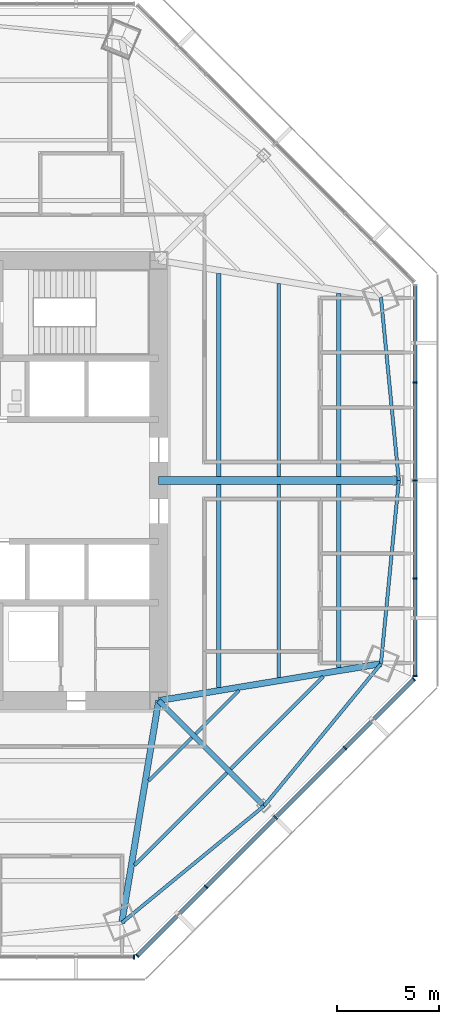
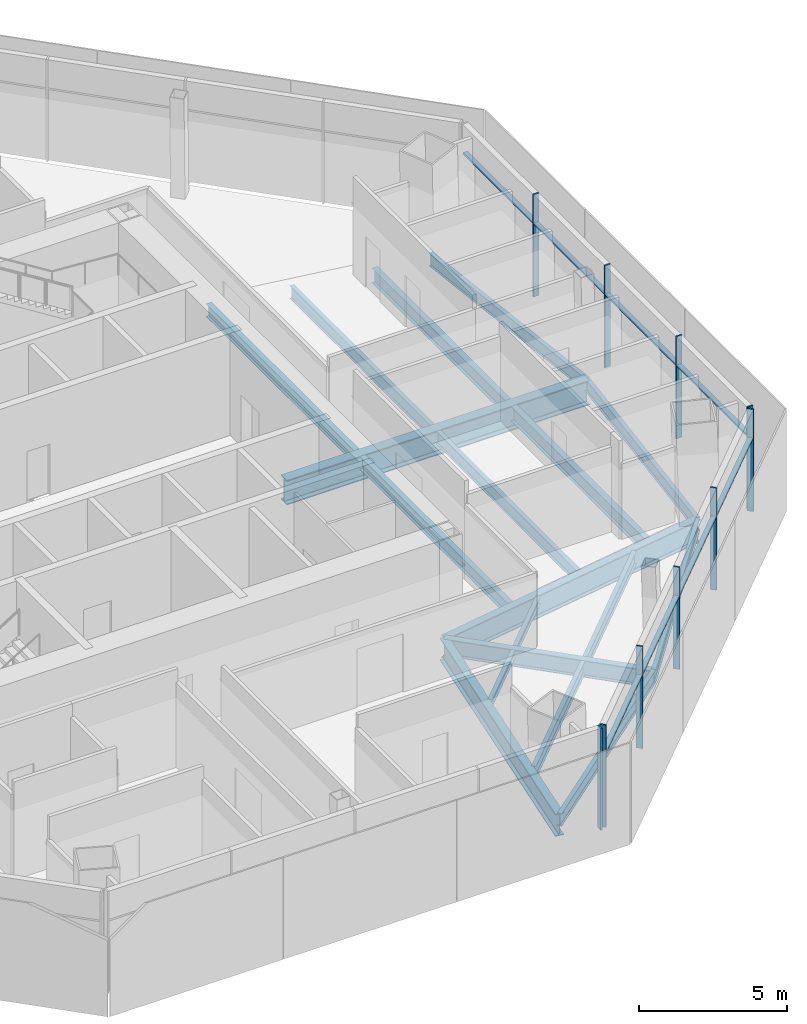
# One storey, part 4 of 15: 18 beams, 18 members, 3 elements without a shape of their own.
"""IFC4 building model written with IfcOpenShell, lengths in metres."""

import ifcopenshell
import ifcopenshell.guid

model = None  # the IFC model being written
_history = None  # IfcOwnerHistory: only IFC2X3 demands one
_inside = {}  # id of a spatial element -> (the spatial element, [elements in it])
_under = {}  # id of a project, library or spatial element -> (it, [spatial elements below it])
_declared = {}  # id of a project -> (the project, [libraries it declares])
_typed = {}  # id of a type object -> (the type object, [elements of that type])
_made_of = {}  # id of a material, layer set ... -> (it, [elements and type objects made of it])


def new_model(schema):
    """Start an empty IFC model of exactly this schema.

    Asked for "IFC4X3", IfcOpenShell would pick the latest addendum, in which some entities
    have other attributes; the version numbers below select the first issue.
    IFC2X3 requires an IfcOwnerHistory on every rooted entity: one is made here for all.
    """
    global model, _history
    if schema == "IFC4X3":
        model = ifcopenshell.file(schema_version=(4, 3, 0, 0))
    else:
        model = ifcopenshell.file(schema=schema)
    _inside.clear()
    _under.clear()
    _declared.clear()
    _typed.clear()
    _made_of.clear()
    _history = None
    if model.schema == "IFC2X3":
        org = make("IfcOrganization", Name="unknown")
        user = make(
            "IfcPersonAndOrganization",
            ThePerson=make("IfcPerson", FamilyName="unknown"),
            TheOrganization=org,
        )
        app = make(
            "IfcApplication",
            ApplicationDeveloper=org,
            Version="unknown",
            ApplicationFullName="unknown",
            ApplicationIdentifier="unknown",
        )
        _history = make(
            "IfcOwnerHistory",
            OwningUser=user,
            OwningApplication=app,
            ChangeAction="ADDED",
            CreationDate=0,
        )
    return model


def make(cls, **values):
    """One entity of the class cls with the attributes given. An attribute that is None is left unset."""
    return model.create_entity(
        cls, **{name: value for name, value in values.items() if value is not None}
    )


def rooted(cls, **values):
    """An entity with a GlobalId (a new one), such as an element, a storey or a relation."""
    return make(cls, GlobalId=ifcopenshell.guid.new(), OwnerHistory=_history, **values)


def si_unit(unit_type, name, prefix=None):
    """IfcSIUnit, for example si_unit("LENGTHUNIT", "METRE", prefix="MILLI")."""
    return make("IfcSIUnit", UnitType=unit_type, Prefix=prefix, Name=name)


def assignment(units):
    """IfcUnitAssignment: the units of a project."""
    return None if units is None else make("IfcUnitAssignment", Units=units)


def point(xyz):
    """IfcCartesianPoint."""
    return None if xyz is None else make("IfcCartesianPoint", Coordinates=xyz)


def direction(xyz):
    """IfcDirection."""
    return None if xyz is None else make("IfcDirection", DirectionRatios=xyz)


def frame(location, z_axis=None, x_axis=None):
    """IfcAxis2Placement3D, a coordinate frame: its origin and axes. An axis left out is left unset."""
    return make(
        "IfcAxis2Placement3D",
        Location=point(location),
        Axis=direction(z_axis),
        RefDirection=direction(x_axis),
    )


def frame_2d(location, x_axis=None):
    """IfcAxis2Placement2D, a coordinate frame in the plane: its origin and x axis."""
    return make(
        "IfcAxis2Placement2D", Location=point(location), RefDirection=direction(x_axis)
    )


def origin():
    """The frame at (0, 0, 0) with its axes left unset."""
    return frame((0.0, 0.0, 0.0))


def origin_2d():
    """The frame at (0, 0) in the plane with its x axis left unset."""
    return frame_2d((0.0, 0.0))


def place(relative_to, where):
    """IfcLocalPlacement: puts the frame where relative to a parent placement (None: the world)."""
    return make(
        "IfcLocalPlacement", PlacementRelTo=relative_to, RelativePlacement=where
    )


def context(
    kind, dimensions, precision=None, world=None, true_north=None, identifier=None
):
    """IfcGeometricRepresentationContext, for example the 3D "Model" context."""
    return make(
        "IfcGeometricRepresentationContext",
        ContextIdentifier=identifier,
        ContextType=kind,
        CoordinateSpaceDimension=dimensions,
        Precision=precision,
        WorldCoordinateSystem=world,
        TrueNorth=true_north,
    )


def subcontext(parent, identifier, kind, view, scale=None):
    """IfcGeometricRepresentationSubContext, for example "Body" below "Model"."""
    return make(
        "IfcGeometricRepresentationSubContext",
        ContextIdentifier=identifier,
        ContextType=kind,
        ParentContext=parent,
        TargetScale=scale,
        TargetView=view,
    )


def project(units=None, contexts=None):
    """IfcProject with its units and contexts."""
    return rooted(
        "IfcProject",
        Name="project",
        RepresentationContexts=contexts,
        UnitsInContext=assignment(units),
    )


def spatial(cls, under=None, at=None, **own):
    """A site, building, storey or space (cls), placed at a placement, below another one or the project."""
    s = rooted(cls, ObjectPlacement=at, **own)
    if under is not None:
        _under.setdefault(under.id(), (under, []))[1].append(s)
    return s


def profile(cls, at=None, kind="AREA", **sizes):
    """A parametric profile (cls). Its sizes go by their IFC names, for example OverallWidth=200.0."""
    return make(cls, ProfileType=kind, Position=at, **sizes)


def rectangle(**sizes):
    """IfcRectangleProfileDef."""
    return profile("IfcRectangleProfileDef", **sizes)


def i_section(**sizes):
    """IfcIShapeProfileDef."""
    return profile("IfcIShapeProfileDef", **sizes)


def extrude(swept, where, along, depth):
    """IfcExtrudedAreaSolid: the profile swept, set in the frame where, extruded along a direction by depth."""
    return make(
        "IfcExtrudedAreaSolid",
        SweptArea=swept,
        Position=where,
        ExtrudedDirection=direction(along),
        Depth=depth,
    )


def shape(context_of_items, identifier, shape_type, items):
    """IfcShapeRepresentation: the items that make up one representation, for example the "Body"."""
    return make(
        "IfcShapeRepresentation",
        ContextOfItems=context_of_items,
        RepresentationIdentifier=identifier,
        RepresentationType=shape_type,
        Items=items,
    )


def source(mapping_origin, context_of_items, identifier, shape_type, items):
    """IfcRepresentationMap: a shape defined once, which mapped items show again and again."""
    return make(
        "IfcRepresentationMap",
        MappingOrigin=mapping_origin,
        MappedRepresentation=shape(context_of_items, identifier, shape_type, items),
    )


def transform(
    local_origin,
    x_axis=None,
    y_axis=None,
    z_axis=None,
    scale=None,
    scale2=None,
    scale3=None,
    uniform=True,
):
    """IfcCartesianTransformationOperator3D, or its non-uniform kind. x_axis, y_axis, z_axis: its Axis1, 2, 3."""
    if uniform:
        return make(
            "IfcCartesianTransformationOperator3D",
            Axis1=direction(x_axis),
            Axis2=direction(y_axis),
            LocalOrigin=point(local_origin),
            Scale=scale,
            Axis3=direction(z_axis),
        )
    return make(
        "IfcCartesianTransformationOperator3DnonUniform",
        Axis1=direction(x_axis),
        Axis2=direction(y_axis),
        LocalOrigin=point(local_origin),
        Scale=scale,
        Axis3=direction(z_axis),
        Scale2=scale2,
        Scale3=scale3,
    )


def mapped(mapping_source, mapping_target):
    """IfcMappedItem: shows the shape of a source again, moved by a transform."""
    return make(
        "IfcMappedItem", MappingSource=mapping_source, MappingTarget=mapping_target
    )


def material(Name=None, Category=None):
    """IfcMaterial."""
    return make("IfcMaterial", Name=Name, Category=Category)


def material_profile(
    of_material, cross_section, Name=None, Category=None, Priority=None
):
    """IfcMaterialProfile: a cross section and its material."""
    return make(
        "IfcMaterialProfile",
        Name=Name,
        Material=of_material,
        Profile=cross_section,
        Priority=Priority,
        Category=Category,
    )


def profile_set(profiles, Name=None, composite=None):
    """IfcMaterialProfileSet."""
    return make(
        "IfcMaterialProfileSet",
        Name=Name,
        MaterialProfiles=profiles,
        CompositeProfile=composite,
    )


def made_of(thing, what):
    """Note that an element or type object is made of a material, layer set ...; save() writes the relation."""
    if what is not None:
        _made_of.setdefault(what.id(), (what, []))[1].append(thing)
    return thing


def type_object(cls, material=None, **own):
    """A type object (cls), such as IfcWallType, which elements share."""
    return made_of(rooted(cls, **own), material)


def type_shapes(of_type, sources):
    """Give a type object the sources (RepresentationMaps) that its elements show as mapped items."""
    of_type.RepresentationMaps = sources


def element(
    cls,
    number,
    at=None,
    inside=None,
    cuts=None,
    type_object=None,
    material=None,
    context=None,
    identifier="Body",
    shape_type=None,
    held_by="IfcProductDefinitionShape",
    body=None,
    shapes=None,
    **own,
):
    """One element of the class cls, such as IfcWall. Its Tag is "e" and its number.

    at: its placement. inside: the storey or other place that contains it. cuts: it is an
    opening in that element (IfcRelVoidsElement). A single representation is given by context,
    identifier, shape_type and body (its items); several are given by shapes. held_by: the class
    of the entity that holds the representations. save() writes the other relations.
    """
    e = rooted(cls, Tag="e%d" % number, ObjectPlacement=at, **own)
    if body is not None:
        shapes = [shape(context, identifier, shape_type, body)]
    if shapes is not None:
        e.Representation = make(held_by, Representations=shapes)
    if inside is not None:
        _inside.setdefault(inside.id(), (inside, []))[1].append(e)
    if cuts is not None:
        rooted(
            "IfcRelVoidsElement", RelatingBuildingElement=cuts, RelatedOpeningElement=e
        )
    if type_object is not None:
        _typed.setdefault(type_object.id(), (type_object, []))[1].append(e)
    return made_of(e, material)


def aggregate(whole, parts):
    """IfcRelAggregates: a whole, such as a stair, and the parts it consists of."""
    return rooted("IfcRelAggregates", RelatingObject=whole, RelatedObjects=parts)


def save(model, path):
    """Write the relations noted so far, then the file.

    IfcRelAggregates (storeys below a building ...), IfcRelContainedInSpatialStructure (elements
    in a storey), IfcRelDefinesByType, IfcRelAssociatesMaterial and IfcRelDeclares: one each for
    every whole, place, type object, material and project.
    """
    for whole, parts in _under.values():
        aggregate(whole, parts)
    for where, things in _inside.values():
        rooted(
            "IfcRelContainedInSpatialStructure",
            RelatedElements=things,
            RelatingStructure=where,
        )
    for kind, things in _typed.values():
        rooted("IfcRelDefinesByType", RelatedObjects=things, RelatingType=kind)
    for what, things in _made_of.values():
        rooted("IfcRelAssociatesMaterial", RelatedObjects=things, RelatingMaterial=what)
    for by, libraries in _declared.values():
        rooted("IfcRelDeclares", RelatingContext=by, RelatedDefinitions=libraries)
    model.write(path)


model = new_model("IFC4")

# Units and contexts
model_context = context("Model", 3, precision=1e-05, world=origin(), true_north=direction((0.0, 1.0)))
body_context = subcontext(model_context, "Body", "Model", "MODEL_VIEW")
ifc_project = project(units=[si_unit("LENGTHUNIT", "METRE"), si_unit("AREAUNIT", "SQUARE_METRE"), si_unit("VOLUMEUNIT", "CUBIC_METRE"), si_unit("PLANEANGLEUNIT", "RADIAN"), si_unit("MASSUNIT", "GRAM", prefix="KILO")], contexts=[model_context])

# Site, building, storey
site_placement = place(None, origin())
site = spatial("IfcSite", under=ifc_project, at=site_placement, CompositionType="ELEMENT")
building_placement = place(site_placement, origin())
building = spatial("IfcBuilding", under=site, at=building_placement, Name="Mashrafa Tower", CompositionType="ELEMENT")
storey_placement = place(building_placement, frame((0.0, 0.0, 163.800048828125)))
storey = spatial("IfcBuildingStorey", under=building, at=storey_placement, Name="L37", CompositionType="ELEMENT", Elevation=163.800048828125)

# Beams
ifc_material_1 = material(Name="Steel ASTM A992", Category="steel")
ifc_material_profile_1 = material_profile(ifc_material_1, i_section(OverallWidth=0.164794921875, OverallDepth=0.309814453125, WebThickness=0.005859375, FlangeThickness=0.009765625, FilletRadius=0.007568359375, at=origin_2d()), Name="W12X26")
ifc_profile_set_1 = profile_set([ifc_material_profile_1], Name="Steel ASTM A992")
beam_type_1 = type_object("IfcBeamType", Name="Beam W12X26", PredefinedType="BEAM", material=ifc_profile_set_1)
for number, where, z_axis, x_axis, name in (
    (1, (12.432861328125, -12.6142578125, -0.320068359375), (-0.707147281016, -0.707066279037, 0.0), (0.707066279037, -0.707147281016, 0.0), "Floor beam L37 029"),
    (2, (14.745361328125, -10.301513671875, -0.320068359375), (-0.707066279037, -0.707147281016, 0.0), (0.707147281016, -0.707066279037, 0.0), "Floor beam L37 035"),
):
    element("IfcBeam", number, at=place(storey_placement, frame(where, z_axis=z_axis, x_axis=x_axis)), inside=storey, type_object=beam_type_1, Name=name, PredefinedType="BEAM", context=body_context, shape_type="SweptSolid", body=[
        extrude(i_section(OverallWidth=0.164794921875, OverallDepth=0.309814453125, WebThickness=0.005859375, FlangeThickness=0.009765625, FilletRadius=0.007568359375, at=origin_2d()), origin(), (0.0, 0.0, 1.0), 3.013916015625),
    ])
ifc_material_2 = material(Name="Steel ASTM A992", Category="steel")
ifc_material_profile_2 = material_profile(ifc_material_2, i_section(OverallWidth=0.1650390625, OverallDepth=0.52587890625, WebThickness=0.0087890625, FlangeThickness=0.011474609375, FilletRadius=0.0126953125, at=origin_2d()), Name="W21X44")
ifc_profile_set_2 = profile_set([ifc_material_profile_2], Name="Steel ASTM A992")
beam_type_2 = type_object("IfcBeamType", Name="Beam W21X44", PredefinedType="BEAM", material=ifc_profile_set_2)
for number, where, z_axis, x_axis, name in (
    (3, (14.15625, -14.337646484375, -0.427978515625), (-0.707106781187, -0.707106781187, 0.0), (0.707106781187, -0.707106781187, 0.0), "Floor beam L37 033"),
    (4, (18.87744140625, -9.616455078125, -0.427978515625), (-0.707106781187, -0.707106781187, 0.0), (0.707106781187, -0.707106781187, 0.0), "Floor beam L37 038"),
):
    element("IfcBeam", number, at=place(storey_placement, frame(where, z_axis=z_axis, x_axis=x_axis)), inside=storey, type_object=beam_type_2, Name=name, PredefinedType="BEAM", context=body_context, shape_type="SweptSolid", body=[
        extrude(i_section(OverallWidth=0.1650390625, OverallDepth=0.52587890625, WebThickness=0.0087890625, FlangeThickness=0.011474609375, FilletRadius=0.0126953125, at=origin_2d()), origin(), (0.0, 0.0, 1.0), 6.420166015625),
    ])
for number, where, z_axis, x_axis, name in (
    (5, (8.991455078125, -21.70751953125, -0.427978515625), (0.772492355592, 0.63502406297, 0.0), (-0.63502406297, 0.772492355592, 0.0), "Spandrel beam L37 066"),
    (6, (15.970458984375, -15.970458984375, -0.427978515625), (0.63502406297, 0.772492355592, 0.0), (-0.772492355592, 0.63502406297, 0.0), "Spandrel beam L37 068"),
):
    element("IfcBeam", number, at=place(storey_placement, frame(where, z_axis=z_axis, x_axis=x_axis)), inside=storey, type_object=beam_type_2, Name=name, PredefinedType="BEAM", context=body_context, shape_type="SweptSolid", body=[
        extrude(i_section(OverallWidth=0.1650390625, OverallDepth=0.52587890625, WebThickness=0.0087890625, FlangeThickness=0.011474609375, FilletRadius=0.0126953125, at=origin_2d()), origin(), (0.0, 0.0, 1.0), 9.034423828125),
    ])
for number, where, z_axis, x_axis, name in (
    (7, (21.70751953125, -8.991455078125, -0.427978515625), (0.097205081582, 0.995264372976, 0.0), (-0.995264372976, 0.097205081582, 0.0), "Spandrel beam L37 070"),
    (8, (22.585693359375, 0.0, -0.427978515625), (-0.097205081582, 0.995264372976, 0.0), (-0.995264372976, -0.097205081582, 0.0), "Spandrel beam L37 072"),
):
    element("IfcBeam", number, at=place(storey_placement, frame(where, z_axis=z_axis, x_axis=x_axis)), inside=storey, type_object=beam_type_2, Name=name, PredefinedType="BEAM", context=body_context, shape_type="SweptSolid", body=[
        extrude(i_section(OverallWidth=0.1650390625, OverallDepth=0.52587890625, WebThickness=0.0087890625, FlangeThickness=0.011474609375, FilletRadius=0.0126953125, at=origin_2d()), origin(), (0.0, 0.0, 1.0), 9.0341796875),
    ])
ifc_material_3 = material(Name="Steel ASTM A992", Category="steel")
ifc_material_profile_3 = material_profile(ifc_material_3, i_section(OverallWidth=0.165771484375, OverallDepth=0.5283203125, WebThickness=0.009765625, FlangeThickness=0.013671875, FilletRadius=0.012939453125, at=origin_2d()), Name="W21X50")
ifc_profile_set_3 = profile_set([ifc_material_profile_3], Name="Steel ASTM A992")
beam_type_3 = type_object("IfcBeamType", Name="Beam W21X50", PredefinedType="BEAM", material=ifc_profile_set_3)
for number, where, z_axis, x_axis, name in (
    (9, (16.69287109375, -0.20068359375, -0.42919921875), (0.0, -1.0, 0.0), (1.0, 0.0, 0.0), "Floor beam L37 036"),
    (10, (16.69287109375, 9.6669921875, -0.42919921875), (0.0, -1.0, 0.0), (1.0, 0.0, 0.0), "Floor beam L37 037"),
):
    element("IfcBeam", number, at=place(storey_placement, frame(where, z_axis=z_axis, x_axis=x_axis)), inside=storey, type_object=beam_type_3, Name=name, PredefinedType="BEAM", context=body_context, shape_type="SweptSolid", body=[
        extrude(i_section(OverallWidth=0.165771484375, OverallDepth=0.5283203125, WebThickness=0.009765625, FlangeThickness=0.013671875, FilletRadius=0.012939453125, at=origin_2d()), origin(), (0.0, 0.0, 1.0), 9.46630859375),
    ])
ifc_material_4 = material(Name="Steel ASTM A992", Category="steel")
ifc_material_profile_4 = material_profile(ifc_material_4, i_section(OverallWidth=0.209228515625, OverallDepth=0.533447265625, WebThickness=0.01025390625, FlangeThickness=0.015625, FilletRadius=0.012939453125, at=origin_2d()), Name="W21X62")
ifc_profile_set_4 = profile_set([ifc_material_profile_4], Name="Steel ASTM A992")
beam_type_4 = type_object("IfcBeamType", Name="Beam W21X62", PredefinedType="BEAM", material=ifc_profile_set_4)
for number, where, z_axis, x_axis, name in (
    (11, (13.746337890625, -0.20068359375, -0.431640625), (0.0, -1.0, 0.0), (1.0, 0.0, 0.0), "Floor beam L37 031"),
    (12, (13.746337890625, 10.15576171875, -0.431640625), (0.0, -1.0, 0.0), (1.0, 0.0, 0.0), "Floor beam L37 032"),
):
    element("IfcBeam", number, at=place(storey_placement, frame(where, z_axis=z_axis, x_axis=x_axis)), inside=storey, type_object=beam_type_4, Name=name, PredefinedType="BEAM", context=body_context, shape_type="SweptSolid", body=[
        extrude(i_section(OverallWidth=0.209228515625, OverallDepth=0.533447265625, WebThickness=0.01025390625, FlangeThickness=0.015625, FilletRadius=0.012939453125, at=origin_2d()), origin(), (0.0, 0.0, 1.0), 9.955078125),
    ])
ifc_material_5 = material(Name="Steel ASTM A992", Category="steel")
ifc_material_profile_5 = material_profile(ifc_material_5, i_section(OverallWidth=0.227783203125, OverallDepth=0.60205078125, WebThickness=0.010498046875, FlangeThickness=0.014892578125, FilletRadius=0.012939453125, at=origin_2d()), Name="W24X68")
ifc_profile_set_5 = profile_set([ifc_material_profile_5], Name="Steel ASTM A992")
beam_type_5 = type_object("IfcBeamType", Name="Beam W24X68", PredefinedType="BEAM", material=ifc_profile_set_5)
for number, where, z_axis, x_axis, name in (
    (13, (19.639404296875, -0.20068359375, -0.466064453125), (0.0, -1.0, 0.0), (1.0, 0.0, 0.0), "Floor beam L37 039"),
    (14, (19.639404296875, 9.1787109375, -0.466064453125), (0.0, -1.0, 0.0), (1.0, 0.0, 0.0), "Floor beam L37 040"),
):
    element("IfcBeam", number, at=place(storey_placement, frame(where, z_axis=z_axis, x_axis=x_axis)), inside=storey, type_object=beam_type_5, Name=name, PredefinedType="BEAM", context=body_context, shape_type="SweptSolid", body=[
        extrude(i_section(OverallWidth=0.227783203125, OverallDepth=0.60205078125, WebThickness=0.010498046875, FlangeThickness=0.014892578125, FilletRadius=0.012939453125, at=origin_2d()), origin(), (0.0, 0.0, 1.0), 8.97802734375),
    ])
ifc_material_6 = material(Name="Steel ASTM A992", Category="steel")
ifc_material_profile_6 = material_profile(ifc_material_6, i_section(OverallWidth=0.256591796875, OverallDepth=0.693359375, WebThickness=0.014404296875, FlangeThickness=0.023681640625, FilletRadius=0.01513671875, at=origin_2d()), Name="W27X114")
ifc_profile_set_6 = profile_set([ifc_material_profile_6], Name="Steel ASTM A992")
beam_type_6 = type_object("IfcBeamType", Name="Beam W27X114", PredefinedType="BEAM", material=ifc_profile_set_6)
beam_1_placement = place(storey_placement, frame((10.800048828125, -10.800048828125, -0.51171875), z_axis=(0.707106781187, -0.707106781187, 0.0), x_axis=(0.707106781187, 0.707106781187, 0.0)))
element("IfcBeam", 15, at=beam_1_placement, inside=storey, type_object=beam_type_6, Name="Radial girder L37 051", PredefinedType="BEAM", context=body_context, shape_type="SweptSolid", body=[
    extrude(i_section(OverallWidth=0.256591796875, OverallDepth=0.693359375, WebThickness=0.014404296875, FlangeThickness=0.023681640625, FilletRadius=0.01513671875, at=origin_2d()), origin(), (0.0, 0.0, 1.0), 7.31201171875),
])
ifc_material_7 = material(Name="Steel ASTM A992", Category="steel")
ifc_material_profile_7 = material_profile(ifc_material_7, i_section(OverallWidth=0.307373046875, OverallDepth=0.927001953125, WebThickness=0.01953125, FlangeThickness=0.031982421875, FilletRadius=0.01904296875, at=origin_2d()), Name="W36X194")
ifc_profile_set_7 = profile_set([ifc_material_profile_7], Name="Steel ASTM A992")
beam_type_7 = type_object("IfcBeamType", Name="Beam W36X194", PredefinedType="BEAM", material=ifc_profile_set_7)
for number, where, z_axis, x_axis, name in (
    (16, (10.800048828125, -10.800048828125, -0.628662109375), (-0.163578935108, -0.986530248897, 0.0), (0.986530248897, -0.163578935108, 0.0), "Radial girder L37 050"),
    (17, (10.800048828125, -10.800048828125, -0.628662109375), (0.986530248897, 0.163578935108, 0.0), (-0.163578935108, 0.986530248897, 0.0), "Radial girder L37 052"),
):
    element("IfcBeam", number, at=place(storey_placement, frame(where, z_axis=z_axis, x_axis=x_axis)), inside=storey, type_object=beam_type_7, Name=name, PredefinedType="BEAM", context=body_context, shape_type="SweptSolid", body=[
        extrude(i_section(OverallWidth=0.307373046875, OverallDepth=0.927001953125, WebThickness=0.01953125, FlangeThickness=0.031982421875, FilletRadius=0.01904296875, at=origin_2d()), origin(), (0.0, 0.0, 1.0), 11.056396484375),
    ])
ifc_material_8 = material(Name="Steel ASTM A992", Category="steel")
ifc_material_profile_8 = material_profile(ifc_material_8, i_section(OverallWidth=0.4013671875, OverallDepth=1.010986328125, WebThickness=0.023681640625, FlangeThickness=0.0419921875, FilletRadius=0.02001953125, at=origin_2d()), Name="W40X297")
ifc_profile_set_8 = profile_set([ifc_material_profile_8], Name="Steel ASTM A992")
beam_type_8 = type_object("IfcBeamType", Name="Beam W40X297", PredefinedType="BEAM", material=ifc_profile_set_8)
beam_2_placement = place(storey_placement, frame((10.800048828125, 0.0, -0.67041015625), z_axis=(1.0, 0.0, 0.0), x_axis=(0.0, 1.0, 0.0)))
element("IfcBeam", 18, at=beam_2_placement, inside=storey, type_object=beam_type_8, Name="Radial girder L37 053", PredefinedType="BEAM", context=body_context, shape_type="SweptSolid", body=[
    extrude(i_section(OverallWidth=0.4013671875, OverallDepth=1.010986328125, WebThickness=0.023681640625, FlangeThickness=0.0419921875, FilletRadius=0.02001953125, at=origin_2d()), origin(), (0.0, 0.0, 1.0), 11.78564453125),
])

# Curtain wall, members
ifc_material_9 = material(Name="Unitised aluminium curtain wall", Category="aluminium")
curtain_wall_type = type_object("IfcCurtainWallType", Name="Office curtain wall, zone 2 CW-B 225 deep", PredefinedType="NOTDEFINED", material=ifc_material_9)
curtain_wall_1_placement = place(storey_placement, origin())
curtain_wall_1 = element("IfcCurtainWall", 19, at=curtain_wall_1_placement, inside=storey, type_object=curtain_wall_type, Name="Office curtain wall, zone 2 L37 east", PredefinedType="NOTDEFINED")
ifc_material_10 = material(Name="Extruded aluminium mullion", Category="aluminium")
ifc_material_profile_9 = material_profile(ifc_material_10, rectangle(XDim=0.22509765625, YDim=0.06494140625, at=origin_2d()), Name="Mullion 65x225")
ifc_profile_set_9 = profile_set([ifc_material_profile_9], Name="Extruded aluminium mullion")
member_type_1 = type_object("IfcMemberType", Name="Mullion CW-B 65 x 225", PredefinedType="MULLION", material=ifc_profile_set_9)
shared_shape_1 = source(origin(), body_context, "Body", "SweptSolid", [
    extrude(rectangle(XDim=0.22509765625, YDim=0.06494140625, at=origin_2d()), origin(), (0.0, 0.0, 1.0), 4.199951171875),
])
type_shapes(member_type_1, [shared_shape_1])
member_1_placement = place(storey_placement, frame((23.381103515625, -9.595703125, 0.0), z_axis=(0.0, 0.0, 1.0), x_axis=(-1.0, 0.0, 0.0)))
member_1 = element("IfcMember", 20, at=member_1_placement, type_object=member_type_1, Name="CW-B mullion 1", PredefinedType="MULLION", context=body_context, shape_type="MappedRepresentation", body=[
    mapped(shared_shape_1, transform((0.0, 0.0, 0.0))),
])
member_2_placement = place(storey_placement, frame((23.381103515625, -4.81396484375, 0.0), z_axis=(0.0, 0.0, 1.0), x_axis=(-1.0, 0.0, 0.0)))
member_2 = element("IfcMember", 21, at=member_2_placement, type_object=member_type_1, Name="CW-B mullion 2", PredefinedType="MULLION", context=body_context, shape_type="MappedRepresentation", body=[
    mapped(shared_shape_1, transform((0.0, 0.0, 0.0))),
])
member_3_placement = place(storey_placement, frame((23.381103515625, 0.0, 0.0), z_axis=(0.0, 0.0, 1.0), x_axis=(-1.0, 0.0, 0.0)))
member_3 = element("IfcMember", 22, at=member_3_placement, type_object=member_type_1, Name="CW-B mullion 3", PredefinedType="MULLION", context=body_context, shape_type="MappedRepresentation", body=[
    mapped(shared_shape_1, transform((0.0, 0.0, 0.0))),
])
member_4_placement = place(storey_placement, frame((23.381103515625, 4.81396484375, 0.0), z_axis=(0.0, 0.0, 1.0), x_axis=(-1.0, 0.0, 0.0)))
member_4 = element("IfcMember", 23, at=member_4_placement, type_object=member_type_1, Name="CW-B mullion 4", PredefinedType="MULLION", context=body_context, shape_type="MappedRepresentation", body=[
    mapped(shared_shape_1, transform((0.0, 0.0, 0.0))),
])

# Curtain wall, member
curtain_wall_2_placement = place(storey_placement, origin())
curtain_wall_2 = element("IfcCurtainWall", 24, at=curtain_wall_2_placement, inside=storey, type_object=curtain_wall_type, Name="Office curtain wall, zone 2 L37 south", PredefinedType="NOTDEFINED")
member_5_placement = place(storey_placement, frame((9.595703125, -23.381103515625, 0.0), z_axis=(0.0, 0.0, 1.0), x_axis=(0.0, 1.0, 0.0)))
member_5 = element("IfcMember", 25, at=member_5_placement, type_object=member_type_1, Name="CW-B mullion 5", PredefinedType="MULLION", context=body_context, shape_type="MappedRepresentation", body=[
    mapped(shared_shape_1, transform((0.0, 0.0, 0.0))),
])
aggregate(curtain_wall_2, [member_5])

# Curtain wall, members
curtain_wall_3_placement = place(storey_placement, origin())
curtain_wall_3 = element("IfcCurtainWall", 26, at=curtain_wall_3_placement, inside=storey, type_object=curtain_wall_type, Name="Office curtain wall, zone 2 L37 south-east", PredefinedType="NOTDEFINED")
member_6_placement = place(storey_placement, frame((9.747802734375, -23.318115234375, 0.0), z_axis=(0.0, 0.0, 1.0), x_axis=(-0.707106781187, 0.707106781187, 0.0)))
member_6 = element("IfcMember", 27, at=member_6_placement, type_object=member_type_1, Name="CW-B mullion 1", PredefinedType="MULLION", context=body_context, shape_type="MappedRepresentation", body=[
    mapped(shared_shape_1, transform((0.0, 0.0, 0.0))),
])
member_7_placement = place(storey_placement, frame((13.12890625, -19.93701171875, 0.0), z_axis=(0.0, 0.0, 1.0), x_axis=(-0.707106781187, 0.707106781187, 0.0)))
member_7 = element("IfcMember", 28, at=member_7_placement, type_object=member_type_1, Name="CW-B mullion 2", PredefinedType="MULLION", context=body_context, shape_type="MappedRepresentation", body=[
    mapped(shared_shape_1, transform((0.0, 0.0, 0.0))),
])
member_8_placement = place(storey_placement, frame((16.532958984375, -16.532958984375, 0.0), z_axis=(0.0, 0.0, 1.0), x_axis=(-0.707106781187, 0.707106781187, 0.0)))
member_8 = element("IfcMember", 29, at=member_8_placement, type_object=member_type_1, Name="CW-B mullion 3", PredefinedType="MULLION", context=body_context, shape_type="MappedRepresentation", body=[
    mapped(shared_shape_1, transform((0.0, 0.0, 0.0))),
])
member_9_placement = place(storey_placement, frame((19.93701171875, -13.12890625, 0.0), z_axis=(0.0, 0.0, 1.0), x_axis=(-0.707106781187, 0.707106781187, 0.0)))
member_9 = element("IfcMember", 30, at=member_9_placement, type_object=member_type_1, Name="CW-B mullion 4", PredefinedType="MULLION", context=body_context, shape_type="MappedRepresentation", body=[
    mapped(shared_shape_1, transform((0.0, 0.0, 0.0))),
])
member_10_placement = place(storey_placement, frame((23.318115234375, -9.747802734375, 0.0), z_axis=(0.0, 0.0, 1.0), x_axis=(-0.707106781187, 0.707106781187, 0.0)))
member_10 = element("IfcMember", 31, at=member_10_placement, type_object=member_type_1, Name="CW-B mullion 5", PredefinedType="MULLION", context=body_context, shape_type="MappedRepresentation", body=[
    mapped(shared_shape_1, transform((0.0, 0.0, 0.0))),
])

# Member
ifc_material_11 = material(Name="Extruded aluminium transom", Category="aluminium")
ifc_material_profile_10 = material_profile(ifc_material_11, rectangle(XDim=0.179931640625, YDim=0.080078125, at=origin_2d()), Name="Transom 80x180")
ifc_profile_set_10 = profile_set([ifc_material_profile_10], Name="Extruded aluminium transom")
member_type_2 = type_object("IfcMemberType", Name="Transom CW-B 80 x 180", PredefinedType="MULLION", material=ifc_profile_set_10)
shared_shape_2 = source(origin(), body_context, "Body", "SweptSolid", [
    extrude(rectangle(XDim=0.179931640625, YDim=0.080078125, at=origin_2d()), origin(), (0.0, 0.0, 1.0), 4.716552734375),
])
member_11_placement = place(storey_placement, frame((23.381103515625, -9.563232421875, 3.0), z_axis=(0.0, 1.0, 0.0), x_axis=(-1.0, 0.0, 0.0)))
member_11 = element("IfcMember", 32, at=member_11_placement, type_object=member_type_2, Name="CW-B transom 1", PredefinedType="MULLION", context=body_context, shape_type="MappedRepresentation", body=[
    mapped(shared_shape_2, transform((0.0, 0.0, 0.0))),
])

member_12_placement = place(storey_placement, frame((23.381103515625, 4.8466796875, 3.0), z_axis=(0.0, 1.0, 0.0), x_axis=(-1.0, 0.0, 0.0)))
member_12 = element("IfcMember", 33, at=member_12_placement, type_object=member_type_2, Name="CW-B transom 4", PredefinedType="MULLION", context=body_context, shape_type="MappedRepresentation", body=[
    mapped(shared_shape_2, transform((0.0, 0.0, 0.0))),
])

shared_shape_3 = source(origin(), body_context, "Body", "SweptSolid", [
    extrude(rectangle(XDim=0.179931640625, YDim=0.080078125, at=origin_2d()), origin(), (0.0, 0.0, 1.0), 4.7490234375),
])
member_13_placement = place(storey_placement, frame((23.381103515625, -4.781494140625, 3.0), z_axis=(0.0, 1.0, 0.0), x_axis=(-1.0, 0.0, 0.0)))
member_13 = element("IfcMember", 34, at=member_13_placement, type_object=member_type_2, Name="CW-B transom 2", PredefinedType="MULLION", context=body_context, shape_type="MappedRepresentation", body=[
    mapped(shared_shape_3, transform((0.0, 0.0, 0.0))),
])

member_14_placement = place(storey_placement, frame((23.381103515625, 0.032470703125, 3.0), z_axis=(0.0, 1.0, 0.0), x_axis=(-1.0, 0.0, 0.0)))
member_14 = element("IfcMember", 35, at=member_14_placement, type_object=member_type_2, Name="CW-B transom 3", PredefinedType="MULLION", context=body_context, shape_type="MappedRepresentation", body=[
    mapped(shared_shape_3, transform((0.0, 0.0, 0.0))),
])

aggregate(curtain_wall_1, [member_1, member_2, member_3, member_4, member_11, member_13, member_14, member_12])

shared_shape_4 = source(origin(), body_context, "Body", "SweptSolid", [
    extrude(rectangle(XDim=0.179931640625, YDim=0.080078125, at=origin_2d()), origin(), (0.0, 0.0, 1.0), 4.716796875),
])
member_15_placement = place(storey_placement, frame((9.770751953125, -23.295166015625, 3.0), z_axis=(0.707106781187, 0.707106781187, 0.0), x_axis=(-0.707106781187, 0.707106781187, 0.0)))
member_15 = element("IfcMember", 36, at=member_15_placement, type_object=member_type_2, Name="CW-B transom 1", PredefinedType="MULLION", context=body_context, shape_type="MappedRepresentation", body=[
    mapped(shared_shape_4, transform((0.0, 0.0, 0.0))),
])

member_16_placement = place(storey_placement, frame((19.9599609375, -13.10595703125, 3.0), z_axis=(0.707106781187, 0.707106781187, 0.0), x_axis=(-0.707106781187, 0.707106781187, 0.0)))
member_16 = element("IfcMember", 37, at=member_16_placement, type_object=member_type_2, Name="CW-B transom 4", PredefinedType="MULLION", context=body_context, shape_type="MappedRepresentation", body=[
    mapped(shared_shape_4, transform((0.0, 0.0, 0.0))),
])

shared_shape_5 = source(origin(), body_context, "Body", "SweptSolid", [
    extrude(rectangle(XDim=0.179931640625, YDim=0.080078125, at=origin_2d()), origin(), (0.0, 0.0, 1.0), 4.749267578125),
])
type_shapes(member_type_2, [shared_shape_2, shared_shape_3, shared_shape_4, shared_shape_5])
member_17_placement = place(storey_placement, frame((13.15185546875, -19.9140625, 3.0), z_axis=(0.707106781187, 0.707106781187, 0.0), x_axis=(-0.707106781187, 0.707106781187, 0.0)))
member_17 = element("IfcMember", 38, at=member_17_placement, type_object=member_type_2, Name="CW-B transom 2", PredefinedType="MULLION", context=body_context, shape_type="MappedRepresentation", body=[
    mapped(shared_shape_5, transform((0.0, 0.0, 0.0))),
])

member_18_placement = place(storey_placement, frame((16.555908203125, -16.510009765625, 3.0), z_axis=(0.707106781187, 0.707106781187, 0.0), x_axis=(-0.707106781187, 0.707106781187, 0.0)))
member_18 = element("IfcMember", 39, at=member_18_placement, type_object=member_type_2, Name="CW-B transom 3", PredefinedType="MULLION", context=body_context, shape_type="MappedRepresentation", body=[
    mapped(shared_shape_5, transform((0.0, 0.0, 0.0))),
])

aggregate(curtain_wall_3, [member_6, member_7, member_8, member_9, member_10, member_15, member_17, member_18, member_16])

save(model, "model.ifc")
